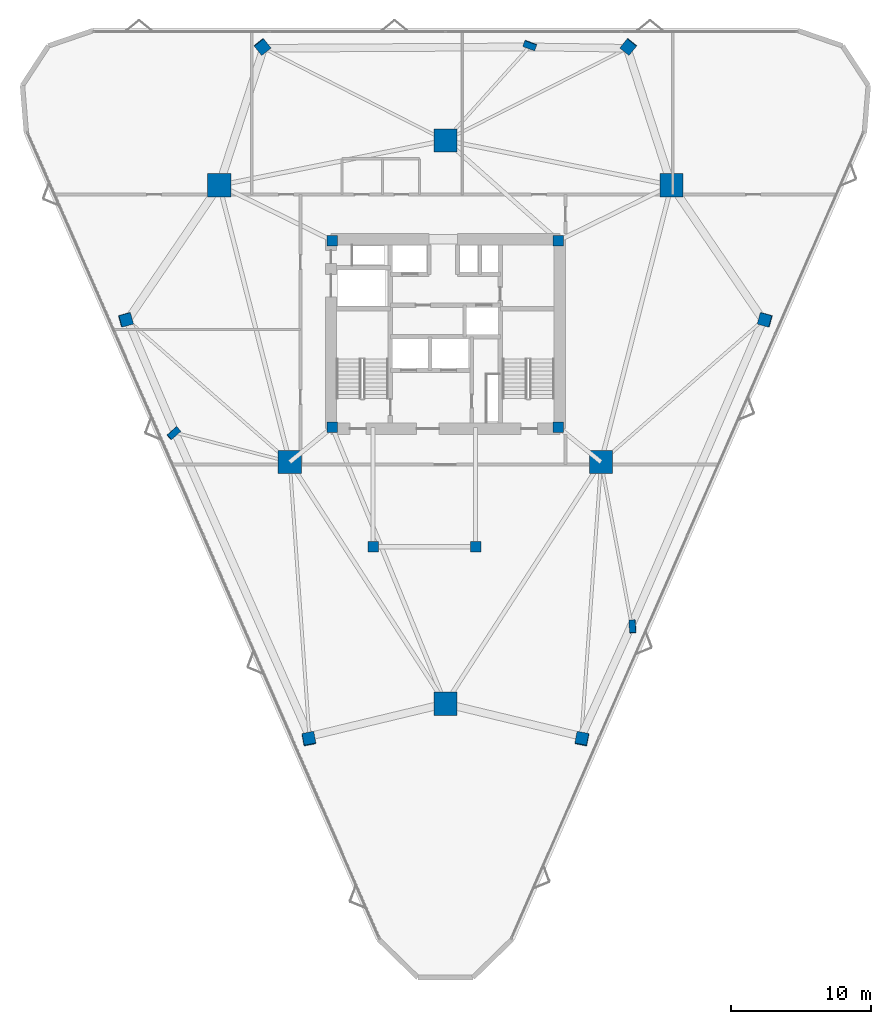
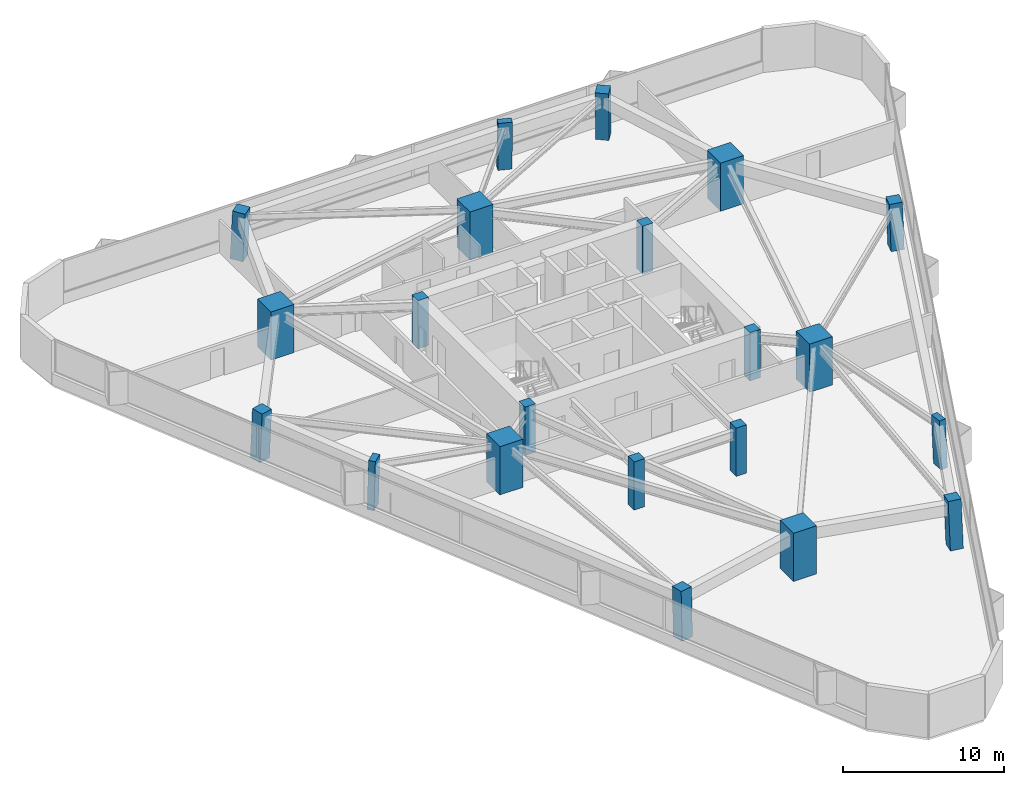
# One storey, part 1 of 14: 21 columns.
"""IFC4 building model written with IfcOpenShell, lengths in metres."""

from ifc_helpers import new_model, si_unit, direction, frame, origin, origin_2d, place, context, subcontext, project, spatial, rectangle, extrude, material, material_profile, profile_set, type_object, element, save


model = new_model("IFC4")

# Units and contexts
model_context = context("Model", 3, precision=1e-05, world=origin(), true_north=direction((0.0, 1.0)))
body_context = subcontext(model_context, "Body", "Model", "MODEL_VIEW")
ifc_project = project(units=[si_unit("LENGTHUNIT", "METRE"), si_unit("AREAUNIT", "SQUARE_METRE"), si_unit("VOLUMEUNIT", "CUBIC_METRE"), si_unit("PLANEANGLEUNIT", "RADIAN"), si_unit("MASSUNIT", "GRAM", prefix="KILO")], contexts=[model_context])

# Site, building, storey
site_placement = place(None, origin())
site = spatial("IfcSite", under=ifc_project, at=site_placement, CompositionType="ELEMENT")
building_placement = place(site_placement, origin())
building = spatial("IfcBuilding", under=site, at=building_placement, Name="Talyreon Biosciences Tower", CompositionType="ELEMENT")
storey_placement = place(building_placement, frame((0.0, 0.0, 115.14990234375)))
storey = spatial("IfcBuildingStorey", under=building, at=storey_placement, Name="L30", CompositionType="ELEMENT", Elevation=115.14990234375)

# Columns
ifc_material_1 = material(Name="Precast concrete C45/55", Category="concrete")
ifc_material_profile_1 = material_profile(ifc_material_1, rectangle(XDim=0.89990234375, YDim=0.449951171875, at=origin_2d()), Name="RC 900x450")
ifc_profile_set_1 = profile_set([ifc_material_profile_1], Name="Precast concrete C45/55")
column_type_1 = type_object("IfcColumnType", Name="FacadePilaster_900x450", PredefinedType="PILASTER", material=ifc_profile_set_1)
column_1_placement = place(storey_placement, frame((79.3369140625, 47.142333984375, 0.003173828125), z_axis=(-0.01967891341, 0.038286865545, 0.999072998481), x_axis=(0.0625855923, -0.997259610517, 0.039450131405)))
element("IfcColumn", 1, at=column_1_placement, inside=storey, type_object=column_type_1, Name="L30 Facade Pilaster PL-SE", PredefinedType="PILASTER", context=body_context, shape_type="SweptSolid", body=[
    extrude(rectangle(XDim=0.89990234375, YDim=0.449951171875, at=origin_2d()), origin(), (0.0, 0.0, 1.0), 3.6474609375),
])
column_2_placement = place(storey_placement, frame((72.021240234375, 88.56982421875, 0.003173828125), z_axis=(-0.01238655289, -0.033544124313, 0.999360478022), x_axis=(-0.9380871136, 0.346399433166, 0.0)))
element("IfcColumn", 2, at=column_2_placement, inside=storey, type_object=column_type_1, Name="L30 Facade Pilaster PL-N", PredefinedType="PILASTER", context=body_context, shape_type="SweptSolid", body=[
    extrude(rectangle(XDim=0.89990234375, YDim=0.449951171875, at=origin_2d()), origin(), (0.0, 0.0, 1.0), 3.646484375),
])
column_3_placement = place(storey_placement, frame((46.64208984375, 60.92919921875, 0.003173828125), z_axis=(0.032006454348, 0.010579539303, 0.999431668614), x_axis=(0.744015266808, 0.667448094148, -0.03089214099)))
element("IfcColumn", 3, at=column_3_placement, inside=storey, type_object=column_type_1, Name="L30 Facade Pilaster PL-SW", PredefinedType="PILASTER", context=body_context, shape_type="SweptSolid", body=[
    extrude(rectangle(XDim=0.89990234375, YDim=0.449951171875, at=origin_2d()), origin(), (0.0, 0.0, 1.0), 3.64599609375),
])
ifc_material_2 = material(Name="Concrete C60/75", Category="concrete")
ifc_material_profile_2 = material_profile(ifc_material_2, rectangle(XDim=1.64990234375, YDim=1.64990234375, at=origin_2d()), Name="RC 1650x1650")
ifc_profile_set_2 = profile_set([ifc_material_profile_2], Name="Concrete C60/75")
column_type_2 = type_object("IfcColumnType", Name="MegaColumn_1650", PredefinedType="COLUMN", material=ifc_profile_set_2)
for number, where, z_axis, x_axis, name in (
    (4, (66.0, 41.6669921875, 0.0), (0.0, 0.0, 1.0), (1.0, 0.0, 0.0), "L30 Composite Mega-Column MC1"),
    (5, (82.102294921875, 78.5986328125, 0.0), (0.0, 0.0, 1.0), (1.0, 0.0, 0.0), "L30 Composite Mega-Column MC2"),
    (6, (49.897705078125, 78.5986328125, 0.0), (0.0, 0.0, 1.0), (1.0, 0.0, 0.0), "L30 Composite Mega-Column MC3"),
    (7, (77.086181640625, 58.88037109375, 0.0), (0.0, 0.0, 1.0), (1.0, 0.0, 0.0), "L30 Composite Mega-Column MC4"),
    (8, (66.0, 81.788818359375, 0.0), (0.0, 0.0, 1.0), (1.0, 0.0, 0.0), "L30 Composite Mega-Column MC5"),
    (9, (54.913818359375, 58.88037109375, 0.0), (0.0, 0.0, 1.0), (1.0, 0.0, 0.0), "L30 Composite Mega-Column MC6"),
):
    element("IfcColumn", number, at=place(storey_placement, frame(where, z_axis=z_axis, x_axis=x_axis)), inside=storey, type_object=column_type_2, Name=name, PredefinedType="COLUMN", context=body_context, shape_type="SweptSolid", body=[
        extrude(rectangle(XDim=1.64990234375, YDim=1.64990234375, at=origin_2d()), origin(), (0.0, 0.0, 1.0), 3.650146484375),
    ])
ifc_material_3 = material(Name="Concrete C50/60", Category="concrete")
ifc_material_profile_3 = material_profile(ifc_material_3, rectangle(XDim=0.75, YDim=0.75, at=origin_2d()), Name="RC 750x750")
ifc_profile_set_3 = profile_set([ifc_material_profile_3], Name="Concrete C50/60")
column_type_3 = type_object("IfcColumnType", Name="PerimeterColumn_750", PredefinedType="COLUMN", material=ifc_profile_set_3)
for number, where, z_axis, x_axis, name in (
    (10, (57.949951171875, 61.35009765625, 0.0), (0.0, 0.0, 1.0), (1.0, 0.0, 0.0), "L30 Core Column CC1"),
    (11, (74.050048828125, 61.35009765625, 0.0), (0.0, 0.0, 1.0), (1.0, 0.0, 0.0), "L30 Core Column CC2"),
    (12, (74.050048828125, 74.64990234375, 0.0), (0.0, 0.0, 1.0), (1.0, 0.0, 0.0), "L30 Core Column CC3"),
    (13, (57.949951171875, 74.64990234375, 0.0), (0.0, 0.0, 1.0), (1.0, 0.0, 0.0), "L30 Core Column CC4"),
    (14, (60.85009765625, 52.840087890625, 0.0), (0.0, 0.0, 1.0), (1.0, 0.0, 0.0), "L30 Core Column CSW"),
    (15, (68.14990234375, 52.840087890625, 0.0), (0.0, 0.0, 1.0), (1.0, 0.0, 0.0), "L30 Core Column CSE"),
):
    element("IfcColumn", number, at=place(storey_placement, frame(where, z_axis=z_axis, x_axis=x_axis)), inside=storey, type_object=column_type_3, Name=name, PredefinedType="COLUMN", context=body_context, shape_type="SweptSolid", body=[
        extrude(rectangle(XDim=0.75, YDim=0.75, at=origin_2d()), origin(), (0.0, 0.0, 1.0), 3.650146484375),
    ])
ifc_material_profile_4 = material_profile(ifc_material_2, rectangle(XDim=0.85009765625, YDim=0.85009765625, at=origin_2d()), Name="RC 850x850")
ifc_profile_set_4 = profile_set([ifc_material_profile_4], Name="Concrete C60/75")
column_type_4 = type_object("IfcColumnType", Name="PerimeterColumn_850", PredefinedType="COLUMN", material=ifc_profile_set_4)
column_4_placement = place(storey_placement, frame((75.732666015625, 39.139892578125, 0.003173828125), z_axis=(-0.012375141264, 0.054450621561, 0.998439775695), x_axis=(-0.187487897047, -0.980933080316, 0.051172066624)))
element("IfcColumn", 16, at=column_4_placement, inside=storey, type_object=column_type_4, Name="L30 Tapering Perimeter Column PC-SE1", PredefinedType="COLUMN", context=body_context, shape_type="SweptSolid", body=[
    extrude(rectangle(XDim=0.85009765625, YDim=0.85009765625, at=origin_2d()), origin(), (0.0, 0.0, 1.0), 3.649658203125),
])
column_5_placement = place(storey_placement, frame((88.77880859375, 69.01171875, 0.003173828125), z_axis=(-0.039296349527, -0.005623327701, 0.999211776902), x_axis=(0.963156452836, -0.266469948077, 0.036378759358)))
element("IfcColumn", 17, at=column_5_placement, inside=storey, type_object=column_type_4, Name="L30 Tapering Perimeter Column PC-SE2", PredefinedType="COLUMN", context=body_context, shape_type="SweptSolid", body=[
    extrude(rectangle(XDim=0.85009765625, YDim=0.85009765625, at=origin_2d()), origin(), (0.0, 0.0, 1.0), 3.64697265625),
])
for number, where, z_axis, x_axis, name in (
    (18, (79.0458984375, 88.4697265625, 0.003173828125), (-0.026841136432, -0.033467751162, 0.999079307676), (-0.780107149771, 0.625645934116, 0.0), "L30 Tapering Perimeter Column PC-N1"),
    (19, (52.9541015625, 88.4697265625, 0.003173828125), (0.026841136432, -0.033467751162, 0.999079307676), (-0.780107149771, -0.625645934116, 0.0), "L30 Tapering Perimeter Column PC-N2"),
):
    element("IfcColumn", number, at=place(storey_placement, frame(where, z_axis=z_axis, x_axis=x_axis)), inside=storey, type_object=column_type_4, Name=name, PredefinedType="COLUMN", context=body_context, shape_type="SweptSolid", body=[
        extrude(rectangle(XDim=0.85009765625, YDim=0.85009765625, at=origin_2d()), origin(), (0.0, 0.0, 1.0), 3.6474609375),
    ])
column_6_placement = place(storey_placement, frame((43.22119140625, 69.01171875, 0.003173828125), z_axis=(0.039296349527, -0.005623327701, 0.999211776902), x_axis=(0.963156452836, 0.266469948077, -0.036378759358)))
element("IfcColumn", 20, at=column_6_placement, inside=storey, type_object=column_type_4, Name="L30 Tapering Perimeter Column PC-SW1", PredefinedType="COLUMN", context=body_context, shape_type="SweptSolid", body=[
    extrude(rectangle(XDim=0.85009765625, YDim=0.85009765625, at=origin_2d()), origin(), (0.0, 0.0, 1.0), 3.64697265625),
])
column_7_placement = place(storey_placement, frame((56.26708984375, 39.139892578125, 0.003173828125), z_axis=(0.012442023592, 0.054450576364, 0.998438946948), x_axis=(-0.186342354285, 0.98115062899, -0.051185644788)))
element("IfcColumn", 21, at=column_7_placement, inside=storey, type_object=column_type_4, Name="L30 Tapering Perimeter Column PC-SW2", PredefinedType="COLUMN", context=body_context, shape_type="SweptSolid", body=[
    extrude(rectangle(XDim=0.85009765625, YDim=0.85009765625, at=origin_2d()), origin(), (0.0, 0.0, 1.0), 3.649658203125),
])

save(model, "model.ifc")
